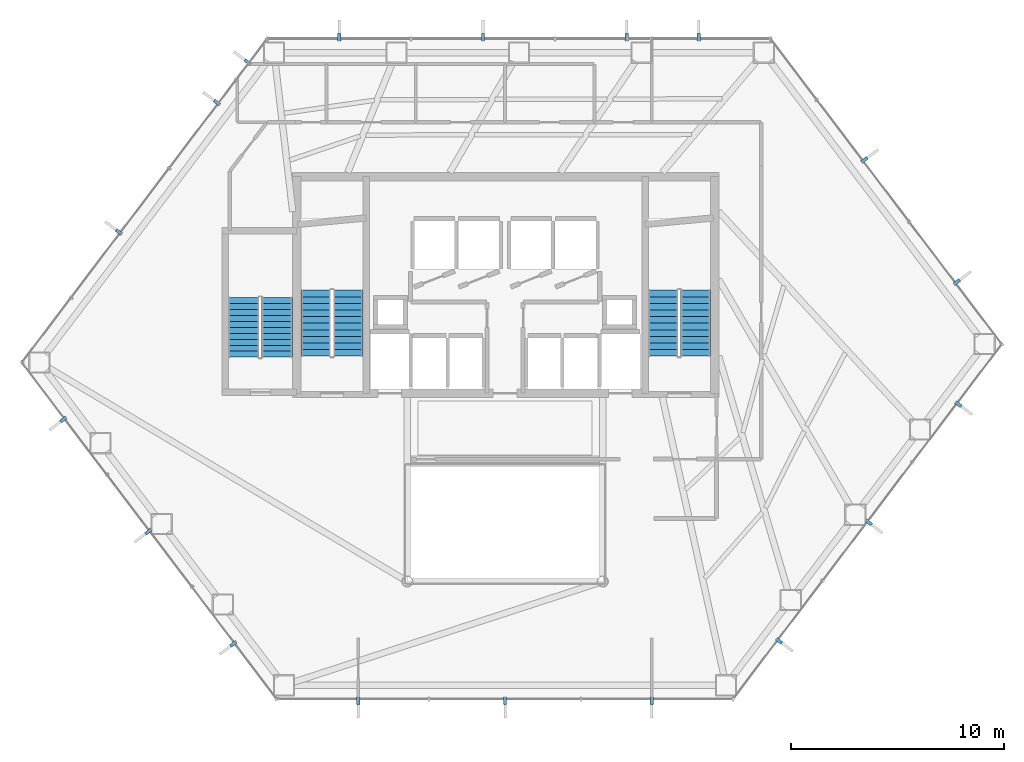
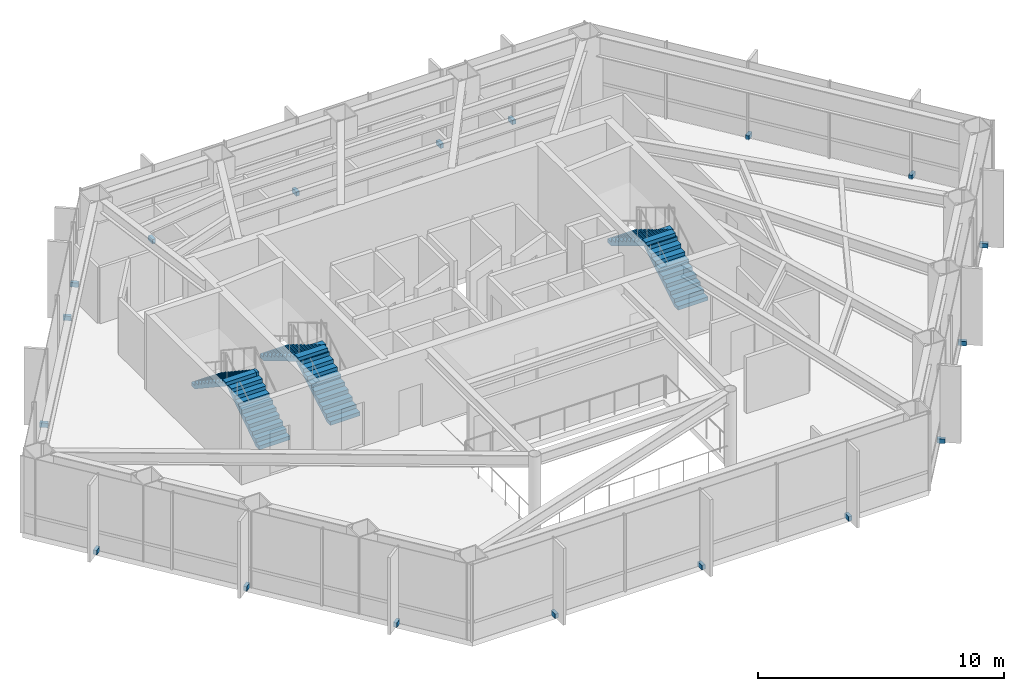
# One storey, part 24 of 25: 18 discrete accessories, 6 stair flights, 3 elements without a shape of their own.
"""IFC4 building model written with IfcOpenShell, lengths in metres."""

from ifc_helpers import new_model, si_unit, direction, frame, origin, origin_2d, place, context, subcontext, project, spatial, polyline, rectangle, outline, extrude, material, type_object, element, aggregate, save


model = new_model("IFC4")

# Units and contexts
model_context = context("Model", 3, precision=1e-05, world=origin(), true_north=direction((0.0, 1.0)))
body_context = subcontext(model_context, "Body", "Model", "MODEL_VIEW")
ifc_project = project(units=[si_unit("LENGTHUNIT", "METRE"), si_unit("AREAUNIT", "SQUARE_METRE"), si_unit("VOLUMEUNIT", "CUBIC_METRE"), si_unit("PLANEANGLEUNIT", "RADIAN"), si_unit("MASSUNIT", "GRAM", prefix="KILO")], contexts=[model_context])

# Site, building, storey
site_placement = place(None, origin())
site = spatial("IfcSite", under=ifc_project, at=site_placement, CompositionType="ELEMENT")
building_placement = place(site_placement, origin())
building = spatial("IfcBuilding", under=site, at=building_placement, Name="Zarrinselat Tower", CompositionType="ELEMENT")
storey_placement = place(building_placement, frame((0.0, 0.0, 52.02001953125)))
storey = spatial("IfcBuildingStorey", under=building, at=storey_placement, Name="L12", CompositionType="ELEMENT", Elevation=52.02001953125)

# Stair, stair flights
ifc_material_1 = material(Name="Concrete C40/50", Category="concrete")
stair_type_1 = type_object("IfcStairType", Name="STR-CORE-145", PredefinedType="HALF_TURN_STAIR", material=ifc_material_1)
stair_1_placement = place(storey_placement, origin())
stair_1 = element("IfcStair", 1, at=stair_1_placement, inside=storey, type_object=stair_type_1, Name="L12 Podium & Mid-Tower Exit Stair 3", PredefinedType="HALF_TURN_STAIR")
ifc_material_2 = material(Name="Concrete C40/50", Category="concrete")
stair_flight_type_1 = type_object("IfcStairFlightType", Name="STR-FLT-145", PredefinedType="STRAIGHT", material=ifc_material_2)
stair_flight_1_placement = place(storey_placement, frame((27.675048828125, 34.949951171875, 0.0), z_axis=(0.0, 0.0, 1.0), x_axis=(0.0, 1.0, 0.0)))
stair_flight_1 = element("IfcStairFlight", 2, at=stair_flight_1_placement, type_object=stair_flight_type_1, Name="ST-3 flight 1", NumberOfRisers=11, NumberOfTreads=10, PredefinedType="STRAIGHT", RiserHeight=0.185454545, TreadLength=0.28, context=body_context, shape_type="SweptSolid", body=[
    extrude(outline(polyline([(0.0, 0.0), (0.0, 0.185546875), (0.280029296875, 0.185546875), (0.280029296875, 0.370849609375), (0.56005859375, 0.370849609375), (0.56005859375, 0.556396484375), (0.840087890625, 0.556396484375), (0.840087890625, 0.74169921875), (1.1201171875, 0.74169921875), (1.1201171875, 0.92724609375), (1.39990234375, 0.92724609375), (1.39990234375, 1.11279296875), (1.679931640625, 1.11279296875), (1.679931640625, 1.298095703125), (1.9599609375, 1.298095703125), (1.9599609375, 1.483642578125), (2.239990234375, 1.483642578125), (2.239990234375, 1.669189453125), (2.52001953125, 1.669189453125), (2.52001953125, 1.8544921875), (2.800048828125, 1.8544921875), (2.800048828125, 2.0400390625), (2.800048828125, 1.6748046875), (0.271484375, 0.0), (0.0, 0.0)])), frame((0.0, 0.72509765625, 0.0), z_axis=(0.0, -1.0, 0.0), x_axis=(1.0, 0.0, 0.0)), (0.0, 0.0, 1.0), 1.449951171875),
])
stair_flight_2_placement = place(storey_placement, frame((26.10498046875, 37.75, 2.0400390625), z_axis=(0.0, 0.0, 1.0), x_axis=(0.0, -1.0, 0.0)))
stair_flight_2 = element("IfcStairFlight", 3, at=stair_flight_2_placement, type_object=stair_flight_type_1, Name="ST-3 flight 2", NumberOfRisers=11, NumberOfTreads=10, PredefinedType="STRAIGHT", RiserHeight=0.185454545, TreadLength=0.28, context=body_context, shape_type="SweptSolid", body=[
    extrude(outline(polyline([(0.0, 0.0), (0.0, 0.185546875), (0.280029296875, 0.185546875), (0.280029296875, 0.370849609375), (0.56005859375, 0.370849609375), (0.56005859375, 0.556396484375), (0.840087890625, 0.556396484375), (0.840087890625, 0.74169921875), (1.1201171875, 0.74169921875), (1.1201171875, 0.92724609375), (1.39990234375, 0.92724609375), (1.39990234375, 1.11279296875), (1.679931640625, 1.11279296875), (1.679931640625, 1.298095703125), (1.9599609375, 1.298095703125), (1.9599609375, 1.483642578125), (2.239990234375, 1.483642578125), (2.239990234375, 1.669189453125), (2.52001953125, 1.669189453125), (2.52001953125, 1.8544921875), (2.800048828125, 1.8544921875), (2.800048828125, 2.0400390625), (2.800048828125, 1.6748046875), (0.271484375, 0.0), (0.0, 0.0)])), frame((0.0, 0.72509765625, 0.0), z_axis=(0.0, -1.0, 0.0), x_axis=(1.0, 0.0, 0.0)), (0.0, 0.0, 1.0), 1.449951171875),
])
aggregate(stair_1, [stair_flight_1, stair_flight_2])

ifc_material_3 = material(Name="Concrete C40/50", Category="concrete")
stair_type_2 = type_object("IfcStairType", Name="STR-CORE-155", PredefinedType="HALF_TURN_STAIR", material=ifc_material_3)
stair_2_placement = place(storey_placement, origin())
stair_2 = element("IfcStair", 4, at=stair_2_placement, inside=storey, type_object=stair_type_2, Name="L12 Core Exit Stair 1", PredefinedType="HALF_TURN_STAIR")
ifc_material_4 = material(Name="Concrete C40/50", Category="concrete")
stair_flight_type_2 = type_object("IfcStairFlightType", Name="STR-FLT-155", PredefinedType="STRAIGHT", material=ifc_material_4)
stair_flight_3_placement = place(storey_placement, frame((31.02001953125, 35.0, 0.0), z_axis=(0.0, 0.0, 1.0), x_axis=(0.0, 1.0, 0.0)))
stair_flight_3 = element("IfcStairFlight", 5, at=stair_flight_3_placement, type_object=stair_flight_type_2, Name="ST-1 flight 1", NumberOfRisers=11, NumberOfTreads=10, PredefinedType="STRAIGHT", RiserHeight=0.185454545, TreadLength=0.31, context=body_context, shape_type="SweptSolid", body=[
    extrude(outline(polyline([(0.0, 0.0), (0.0, 0.185546875), (0.31005859375, 0.185546875), (0.31005859375, 0.370849609375), (0.6201171875, 0.370849609375), (0.6201171875, 0.556396484375), (0.929931640625, 0.556396484375), (0.929931640625, 0.74169921875), (1.239990234375, 0.74169921875), (1.239990234375, 0.92724609375), (1.550048828125, 0.92724609375), (1.550048828125, 1.11279296875), (1.860107421875, 1.11279296875), (1.860107421875, 1.298095703125), (2.169921875, 1.298095703125), (2.169921875, 1.483642578125), (2.47998046875, 1.483642578125), (2.47998046875, 1.669189453125), (2.7900390625, 1.669189453125), (2.7900390625, 1.8544921875), (3.10009765625, 1.8544921875), (3.10009765625, 2.0400390625), (3.10009765625, 1.679931640625), (0.2919921875, 0.0), (0.0, 0.0)])), frame((0.0, 0.699951171875, 0.0), z_axis=(0.0, -1.0, 0.0), x_axis=(1.0, 0.0, 0.0)), (0.0, 0.0, 1.0), 1.39990234375),
])
stair_flight_4_placement = place(storey_placement, frame((29.5, 38.10009765625, 2.0400390625), z_axis=(0.0, 0.0, 1.0), x_axis=(0.0, -1.0, 0.0)))
stair_flight_4 = element("IfcStairFlight", 6, at=stair_flight_4_placement, type_object=stair_flight_type_2, Name="ST-1 flight 2", NumberOfRisers=11, NumberOfTreads=10, PredefinedType="STRAIGHT", RiserHeight=0.185454545, TreadLength=0.31, context=body_context, shape_type="SweptSolid", body=[
    extrude(outline(polyline([(0.0, 0.0), (0.0, 0.185546875), (0.31005859375, 0.185546875), (0.31005859375, 0.370849609375), (0.6201171875, 0.370849609375), (0.6201171875, 0.556396484375), (0.929931640625, 0.556396484375), (0.929931640625, 0.74169921875), (1.239990234375, 0.74169921875), (1.239990234375, 0.92724609375), (1.550048828125, 0.92724609375), (1.550048828125, 1.11279296875), (1.860107421875, 1.11279296875), (1.860107421875, 1.298095703125), (2.169921875, 1.298095703125), (2.169921875, 1.483642578125), (2.47998046875, 1.483642578125), (2.47998046875, 1.669189453125), (2.7900390625, 1.669189453125), (2.7900390625, 1.8544921875), (3.10009765625, 1.8544921875), (3.10009765625, 2.0400390625), (3.10009765625, 1.679931640625), (0.2919921875, 0.0), (0.0, 0.0)])), frame((0.0, 0.699951171875, 0.0), z_axis=(0.0, -1.0, 0.0), x_axis=(1.0, 0.0, 0.0)), (0.0, 0.0, 1.0), 1.39990234375),
])
aggregate(stair_2, [stair_flight_3, stair_flight_4])

stair_3_placement = place(storey_placement, origin())
stair_3 = element("IfcStair", 7, at=stair_3_placement, inside=storey, type_object=stair_type_2, Name="L12 Core Exit Stair 2", PredefinedType="HALF_TURN_STAIR")
stair_flight_5_placement = place(storey_placement, frame((47.360107421875, 35.0, 0.0), z_axis=(0.0, 0.0, 1.0), x_axis=(0.0, 1.0, 0.0)))
stair_flight_5 = element("IfcStairFlight", 8, at=stair_flight_5_placement, type_object=stair_flight_type_2, Name="ST-2 flight 1", NumberOfRisers=11, NumberOfTreads=10, PredefinedType="STRAIGHT", RiserHeight=0.185454545, TreadLength=0.31, context=body_context, shape_type="SweptSolid", body=[
    extrude(outline(polyline([(0.0, 0.0), (0.0, 0.185546875), (0.31005859375, 0.185546875), (0.31005859375, 0.370849609375), (0.6201171875, 0.370849609375), (0.6201171875, 0.556396484375), (0.929931640625, 0.556396484375), (0.929931640625, 0.74169921875), (1.239990234375, 0.74169921875), (1.239990234375, 0.92724609375), (1.550048828125, 0.92724609375), (1.550048828125, 1.11279296875), (1.860107421875, 1.11279296875), (1.860107421875, 1.298095703125), (2.169921875, 1.298095703125), (2.169921875, 1.483642578125), (2.47998046875, 1.483642578125), (2.47998046875, 1.669189453125), (2.7900390625, 1.669189453125), (2.7900390625, 1.8544921875), (3.10009765625, 1.8544921875), (3.10009765625, 2.0400390625), (3.10009765625, 1.679931640625), (0.2919921875, 0.0), (0.0, 0.0)])), frame((0.0, 0.699951171875, 0.0), z_axis=(0.0, -1.0, 0.0), x_axis=(1.0, 0.0, 0.0)), (0.0, 0.0, 1.0), 1.39990234375),
])
stair_flight_6_placement = place(storey_placement, frame((45.840087890625, 38.10009765625, 2.0400390625), z_axis=(0.0, 0.0, 1.0), x_axis=(0.0, -1.0, 0.0)))
stair_flight_6 = element("IfcStairFlight", 9, at=stair_flight_6_placement, type_object=stair_flight_type_2, Name="ST-2 flight 2", NumberOfRisers=11, NumberOfTreads=10, PredefinedType="STRAIGHT", RiserHeight=0.185454545, TreadLength=0.31, context=body_context, shape_type="SweptSolid", body=[
    extrude(outline(polyline([(0.0, 0.0), (0.0, 0.185546875), (0.31005859375, 0.185546875), (0.31005859375, 0.370849609375), (0.6201171875, 0.370849609375), (0.6201171875, 0.556396484375), (0.929931640625, 0.556396484375), (0.929931640625, 0.74169921875), (1.239990234375, 0.74169921875), (1.239990234375, 0.92724609375), (1.550048828125, 0.92724609375), (1.550048828125, 1.11279296875), (1.860107421875, 1.11279296875), (1.860107421875, 1.298095703125), (2.169921875, 1.298095703125), (2.169921875, 1.483642578125), (2.47998046875, 1.483642578125), (2.47998046875, 1.669189453125), (2.7900390625, 1.669189453125), (2.7900390625, 1.8544921875), (3.10009765625, 1.8544921875), (3.10009765625, 2.0400390625), (3.10009765625, 1.679931640625), (0.2919921875, 0.0), (0.0, 0.0)])), frame((0.0, 0.699951171875, 0.0), z_axis=(0.0, -1.0, 0.0), x_axis=(1.0, 0.0, 0.0)), (0.0, 0.0, 1.0), 1.39990234375),
])
aggregate(stair_3, [stair_flight_5, stair_flight_6])

# Discrete accessories
ifc_material_5 = material(Name="Steel S355J2", Category="steel")
discrete_accessory_type = type_object("IfcDiscreteAccessoryType", Name="ACC-FIN-BRACKET", PredefinedType="BRACKET", material=ifc_material_5)
for number, where, z_axis, x_axis, name in (
    (10, (47.513427734375, 49.997802734375, -0.0498046875), (0.0, 0.0, 1.0), (0.0, 1.0, 0.0), "L12 Fin Fixing Bracket CW-L12-E01-01"),
    (11, (44.1298828125, 49.997802734375, -0.0498046875), (0.0, 0.0, 1.0), (0.0, 1.0, 0.0), "L12 Fin Fixing Bracket CW-L12-E01-03"),
    (12, (37.362548828125, 49.997802734375, -0.0498046875), (0.0, 0.0, 1.0), (0.0, 1.0, 0.0), "L12 Fin Fixing Bracket CW-L12-E01-05"),
    (13, (30.59521484375, 49.997802734375, -0.0498046875), (0.0, 0.0, 1.0), (0.0, 1.0, 0.0), "L12 Fin Fixing Bracket CW-L12-E01-07"),
    (14, (26.291015625, 48.82861328125, -0.0498046875), (0.0, 0.0, 1.0), (-0.797090773679, 0.603859502298, 0.0), "L12 Fin Fixing Bracket CW-L12-E02-01"),
    (15, (24.848876953125, 46.925048828125, -0.0498046875), (0.0, 0.0, 1.0), (-0.797090773679, 0.603859502298, 0.0), "L12 Fin Fixing Bracket CW-L12-E02-03"),
    (16, (20.23486328125, 40.834716796875, -0.0498046875), (0.0, 0.0, 1.0), (-0.797090773679, 0.603859502298, 0.0), "L12 Fin Fixing Bracket CW-L12-E02-05"),
    (17, (17.62109375, 32.019775390625, -0.0498046875), (0.0, 0.0, 1.0), (-0.797089212337, -0.603861563254, 0.0), "L12 Fin Fixing Bracket CW-L12-E03-01"),
    (18, (21.621337890625, 26.739501953125, -0.0498046875), (0.0, 0.0, 1.0), (-0.797089212337, -0.603861563254, 0.0), "L12 Fin Fixing Bracket CW-L12-E03-03"),
    (19, (25.62158203125, 21.45947265625, -0.0498046875), (0.0, 0.0, 1.0), (-0.797089212337, -0.603861563254, 0.0), "L12 Fin Fixing Bracket CW-L12-E03-05"),
    (20, (31.5, 18.791748046875, -0.0498046875), (0.0, 0.0, 1.0), (0.0, -1.0, 0.0), "L12 Fin Fixing Bracket CW-L12-E04-01"),
    (21, (38.39990234375, 18.791748046875, -0.0498046875), (0.0, 0.0, 1.0), (0.0, -1.0, 0.0), "L12 Fin Fixing Bracket CW-L12-E04-03"),
    (22, (45.300048828125, 18.791748046875, -0.0498046875), (0.0, 0.0, 1.0), (0.0, -1.0, 0.0), "L12 Fin Fixing Bracket CW-L12-E04-05"),
    (23, (51.28759765625, 21.603515625, -0.0498046875), (0.0, 0.0, 1.0), (0.797089781737, -0.603860811653, 0.0), "L12 Fin Fixing Bracket CW-L12-E05-01"),
    (24, (55.505859375, 27.17138671875, -0.0498046875), (0.0, 0.0, 1.0), (0.797089781737, -0.603860811653, 0.0), "L12 Fin Fixing Bracket CW-L12-E05-03"),
    (25, (59.72412109375, 32.739501953125, -0.0498046875), (0.0, 0.0, 1.0), (0.797089781737, -0.603860811653, 0.0), "L12 Fin Fixing Bracket CW-L12-E05-05"),
    (26, (59.6572265625, 38.480712890625, -0.0498046875), (0.0, 0.0, 1.0), (0.797092876715, 0.603856726294, 0.0), "L12 Fin Fixing Bracket CW-L12-E06-01"),
    (27, (55.30517578125, 44.225341796875, -0.0498046875), (0.0, 0.0, 1.0), (0.797092876715, 0.603856726294, 0.0), "L12 Fin Fixing Bracket CW-L12-E06-03"),
):
    element("IfcDiscreteAccessory", number, at=place(storey_placement, frame(where, z_axis=z_axis, x_axis=x_axis)), inside=storey, type_object=discrete_accessory_type, Name=name, PredefinedType="BRACKET", context=body_context, shape_type="SweptSolid", body=[
        extrude(rectangle(XDim=0.340087890625, YDim=0.159912109375, at=origin_2d()), origin(), (0.0, 0.0, 1.0), 0.219970703125),
    ])

save(model, "model.ifc")
